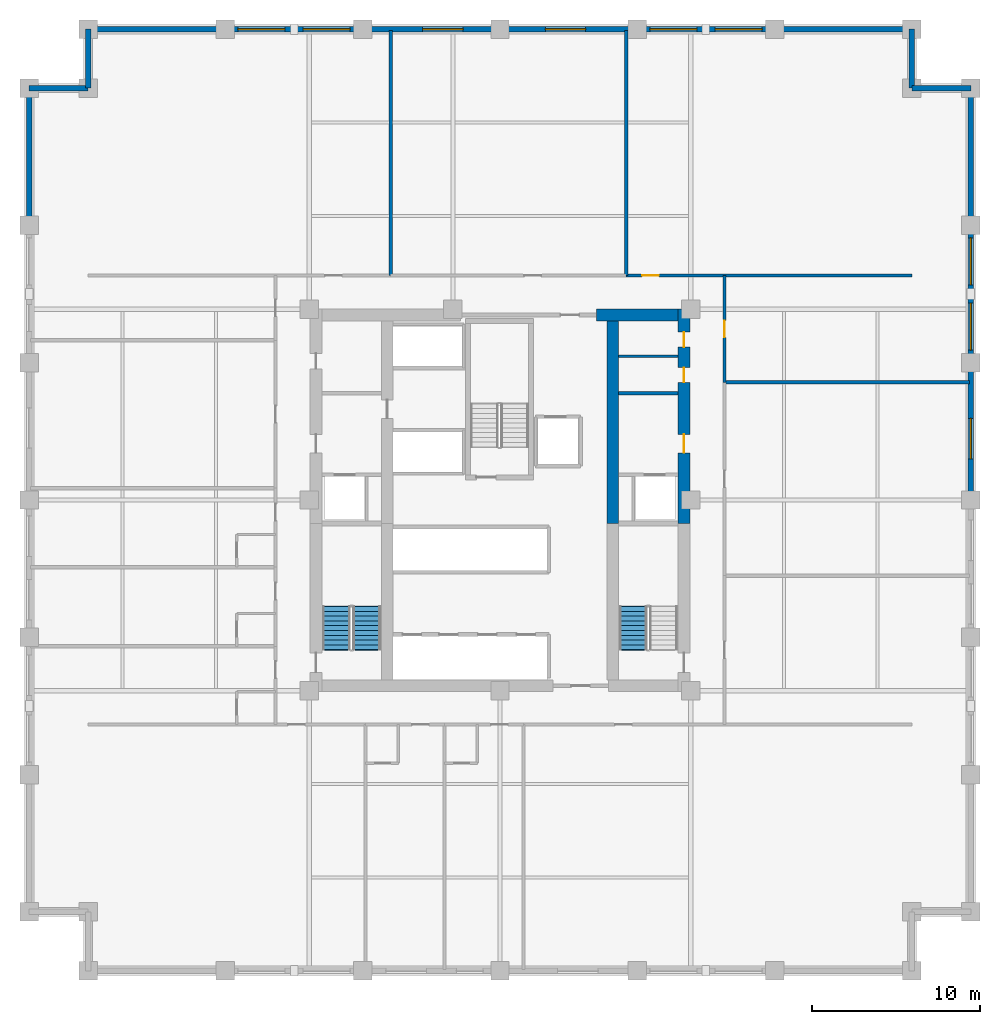
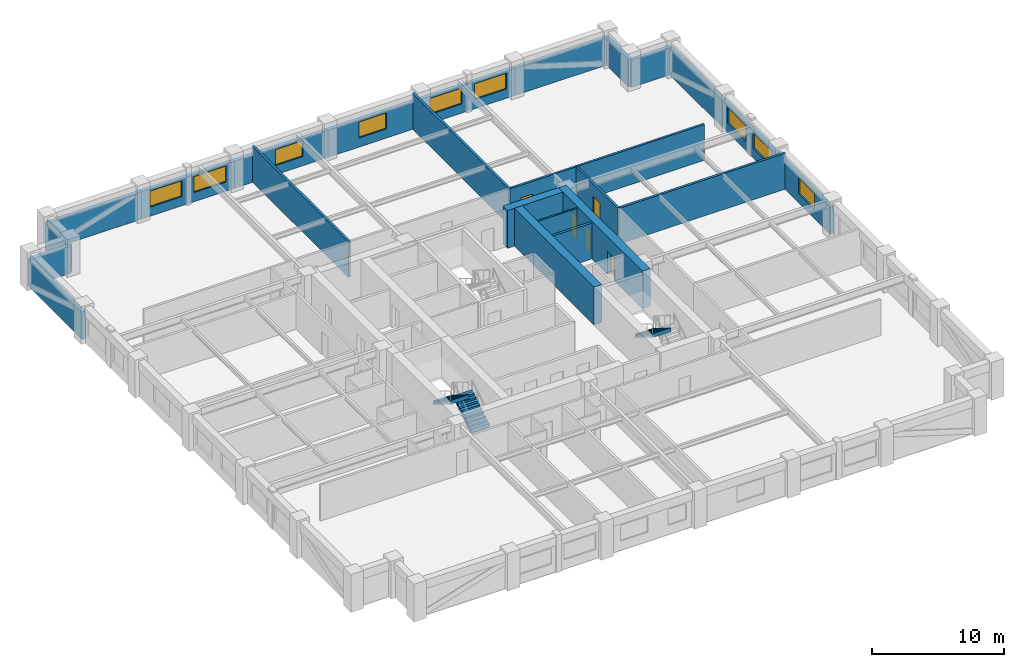
# One storey, part 5 of 7: 24 walls, 9 windows, 5 doors, 3 stair flights, 14 openings, 2 elements without a shape of their own.
"""IFC4 building model written with IfcOpenShell, lengths in metres."""

from ifc_helpers import new_model, si_unit, direction, frame, frame_2d, origin, place, context, subcontext, project, spatial, polyline, rectangle, outline, extrude, material, layer, layer_set, type_object, element, fill, aggregate, save


model = new_model("IFC4")

# Units and contexts
model_context = context("Model", 3, precision=1e-05, world=origin(), true_north=direction((0.0, 1.0)))
body_context = subcontext(model_context, "Body", "Model", "MODEL_VIEW")
ifc_project = project(units=[si_unit("LENGTHUNIT", "METRE"), si_unit("AREAUNIT", "SQUARE_METRE"), si_unit("VOLUMEUNIT", "CUBIC_METRE"), si_unit("PLANEANGLEUNIT", "RADIAN"), si_unit("MASSUNIT", "GRAM", prefix="KILO")], contexts=[model_context])

# Site, building, storey
site_placement = place(None, origin())
site = spatial("IfcSite", under=ifc_project, at=site_placement, CompositionType="ELEMENT")
building_placement = place(site_placement, origin())
building = spatial("IfcBuilding", under=site, at=building_placement, Name="Nhamokura Convention Tower", CompositionType="ELEMENT")
storey_placement = place(building_placement, frame((0.0, 0.0, 59.85009765625)))
storey = spatial("IfcBuildingStorey", under=building, at=storey_placement, Name="L13", CompositionType="ELEMENT", Elevation=59.85009765625)

# Walls
ifc_material_1 = material(Name="Moisture-resistant tile-backer partition", Category="masonry")
ifc_layer_1 = layer(ifc_material_1, 0.139892578125)
ifc_layer_set_1 = layer_set([ifc_layer_1], Name="BathroomWetWall_140")
wall_type_1 = type_object("IfcWallType", Name="BathroomWetWall_140", PredefinedType="STANDARD", material=ifc_layer_set_1)
wall_1_placement = place(storey_placement, frame((39.06005859375, 40.550048828125, 0.0), z_axis=(0.0, 0.0, 1.0), x_axis=(1.0, 0.0, 0.0)))
element("IfcWall", 1, at=wall_1_placement, inside=storey, type_object=wall_type_1, Name="L13 Wall INT-L13-CWNE", PredefinedType="STANDARD", context=body_context, shape_type="SweptSolid", body=[
    extrude(rectangle(XDim=3.530029296875, YDim=0.139892578125, at=frame_2d((1.76513671875, 0.0))), origin(), (0.0, 0.0, 1.0), 3.31982421875),
])
ifc_material_2 = material(Name="Bronze-pigmented precast concrete C45/55", Category="concrete")
ifc_layer_2 = layer(ifc_material_2, 0.320068359375)
ifc_layer_set_2 = layer_set([ifc_layer_2], Name="BronzePrecastSpandrel_320")
wall_type_2 = type_object("IfcWallType", Name="BronzePrecastSpandrel_320", PredefinedType="USERDEFINED", material=ifc_layer_set_2)
wall_2_placement = place(storey_placement, frame((7.5, 60.0, 0.0), z_axis=(0.0, 0.0, 1.0), x_axis=(1.0, 0.0, 0.0)))
element("IfcWall", 2, at=wall_2_placement, inside=storey, type_object=wall_type_2, Name="L13 Braced-Bay Precast Wall NORTH 0", ObjectType="SPANDREL_WALL", PredefinedType="USERDEFINED", context=body_context, shape_type="SweptSolid", body=[
    extrude(rectangle(XDim=8.166748046875, YDim=0.320068359375, at=frame_2d((4.08349609375, 0.0))), origin(), (0.0, 0.0, 1.0), 2.52001953125),
])

# Wall, openings, windows
wall_3_placement = place(storey_placement, frame((15.666748046875, 60.0, 0.0), z_axis=(0.0, 0.0, 1.0), x_axis=(1.0, 0.0, 0.0)))
wall_3 = element("IfcWall", 3, at=wall_3_placement, inside=storey, type_object=wall_type_2, Name="L13 Masonry-Frame Wall NORTH 1", ObjectType="SPANDREL_WALL", PredefinedType="USERDEFINED", context=body_context, shape_type="SweptSolid", body=[
    extrude(rectangle(XDim=8.16650390625, YDim=0.320068359375, at=frame_2d((4.083251953125, 0.0))), origin(), (0.0, 0.0, 1.0), 2.52001953125),
])
opening_1_placement = place(wall_3_placement, frame((0.74169921875, 0.0, 0.85009765625)))
opening_1 = element("IfcOpeningElement", 4, at=opening_1_placement, cuts=wall_3, Name="Opening W-04", PredefinedType="OPENING", context=body_context, shape_type="SweptSolid", body=[
    extrude(rectangle(XDim=2.800048828125, YDim=1.469970703125, at=frame_2d((1.39990234375, 0.73486328125))), frame((0.0, 0.169921875, 0.0), z_axis=(0.0, -1.0, 0.0), x_axis=(1.0, 0.0, 0.0)), (0.0, 0.0, 1.0), 0.340087890625),
])
opening_2_placement = place(wall_3_placement, frame((4.625, 0.0, 0.85009765625)))
opening_2 = element("IfcOpeningElement", 5, at=opening_2_placement, cuts=wall_3, Name="Opening W-04", PredefinedType="OPENING", context=body_context, shape_type="SweptSolid", body=[
    extrude(rectangle(XDim=2.800048828125, YDim=1.469970703125, at=frame_2d((1.39990234375, 0.73486328125))), frame((0.0, 0.169921875, 0.0), z_axis=(0.0, -1.0, 0.0), x_axis=(1.0, 0.0, 0.0)), (0.0, 0.0, 1.0), 0.340087890625),
])
ifc_material_3 = material(Name="Solar-control bronze low-E double glass", Category="glass")
window_type_1 = type_object("IfcWindowType", Name="HotelSuiteWindow_2800", PartitioningType="DOUBLE_PANEL_VERTICAL", PredefinedType="WINDOW", material=ifc_material_3)
window_1_placement = place(opening_1_placement, origin())
window_1 = element("IfcWindow", 6, at=window_1_placement, inside=storey, type_object=window_type_1, Name="L13 Facade Window NORTH 1-1", OverallHeight=1.469970703125, OverallWidth=2.800048828125, PartitioningType="SINGLE_PANEL", PredefinedType="WINDOW", context=body_context, shape_type="SweptSolid", body=[
    extrude(rectangle(XDim=2.800048828125, YDim=1.469970703125, at=frame_2d((1.39990234375, 0.73486328125))), frame((0.0, 0.030029296875, 0.0), z_axis=(0.0, -1.0, 0.0), x_axis=(1.0, 0.0, 0.0)), (0.0, 0.0, 1.0), 0.06005859375),
])
fill(opening_1, window_1)
window_2_placement = place(opening_2_placement, origin())
window_2 = element("IfcWindow", 7, at=window_2_placement, inside=storey, type_object=window_type_1, Name="L13 Facade Window NORTH 1-2", OverallHeight=1.469970703125, OverallWidth=2.800048828125, PartitioningType="SINGLE_PANEL", PredefinedType="WINDOW", context=body_context, shape_type="SweptSolid", body=[
    extrude(rectangle(XDim=2.800048828125, YDim=1.469970703125, at=frame_2d((1.39990234375, 0.73486328125))), frame((0.0, 0.030029296875, 0.0), z_axis=(0.0, -1.0, 0.0), x_axis=(1.0, 0.0, 0.0)), (0.0, 0.0, 1.0), 0.06005859375),
])
fill(opening_2, window_2)

# Wall, opening, window
wall_4_placement = place(storey_placement, frame((23.833251953125, 60.0, 0.0), z_axis=(0.0, 0.0, 1.0), x_axis=(1.0, 0.0, 0.0)))
wall_4 = element("IfcWall", 8, at=wall_4_placement, inside=storey, type_object=wall_type_2, Name="L13 Masonry-Frame Wall NORTH 2", ObjectType="SPANDREL_WALL", PredefinedType="USERDEFINED", context=body_context, shape_type="SweptSolid", body=[
    extrude(rectangle(XDim=8.166748046875, YDim=0.320068359375, at=frame_2d((4.08349609375, 0.0))), origin(), (0.0, 0.0, 1.0), 2.52001953125),
])
opening_3_placement = place(wall_4_placement, frame((3.566650390625, 0.0, 0.85009765625)))
opening_3 = element("IfcOpeningElement", 9, at=opening_3_placement, cuts=wall_4, Name="Opening W-03", PredefinedType="OPENING", context=body_context, shape_type="SweptSolid", body=[
    extrude(rectangle(XDim=2.39990234375, YDim=1.469970703125, at=frame_2d((1.199951171875, 0.73486328125))), frame((0.0, 0.169921875, 0.0), z_axis=(0.0, -1.0, 0.0), x_axis=(1.0, 0.0, 0.0)), (0.0, 0.0, 1.0), 0.340087890625),
])
ifc_material_4 = material(Name="Solar-control bronze low-E double glass", Category="glass")
window_type_2 = type_object("IfcWindowType", Name="HotelBayWindow_2400", PartitioningType="DOUBLE_PANEL_VERTICAL", PredefinedType="WINDOW", material=ifc_material_4)
window_3_placement = place(opening_3_placement, origin())
window_3 = element("IfcWindow", 10, at=window_3_placement, inside=storey, type_object=window_type_2, Name="L13 Facade Window NORTH 2-2", OverallHeight=1.469970703125, OverallWidth=2.39990234375, PartitioningType="SINGLE_PANEL", PredefinedType="WINDOW", context=body_context, shape_type="SweptSolid", body=[
    extrude(rectangle(XDim=2.39990234375, YDim=1.469970703125, at=frame_2d((1.199951171875, 0.73486328125))), frame((0.0, 0.030029296875, 0.0), z_axis=(0.0, -1.0, 0.0), x_axis=(1.0, 0.0, 0.0)), (0.0, 0.0, 1.0), 0.06005859375),
])
fill(opening_3, window_3)

wall_5_placement = place(storey_placement, frame((32.0, 60.0, 0.0), z_axis=(0.0, 0.0, 1.0), x_axis=(1.0, 0.0, 0.0)))
wall_5 = element("IfcWall", 11, at=wall_5_placement, inside=storey, type_object=wall_type_2, Name="L13 Masonry-Frame Wall NORTH 3", ObjectType="SPANDREL_WALL", PredefinedType="USERDEFINED", context=body_context, shape_type="SweptSolid", body=[
    extrude(rectangle(XDim=8.166748046875, YDim=0.320068359375, at=frame_2d((4.08349609375, 0.0))), origin(), (0.0, 0.0, 1.0), 2.52001953125),
])
opening_4_placement = place(wall_5_placement, frame((2.699951171875, 0.0, 0.85009765625)))
opening_4 = element("IfcOpeningElement", 12, at=opening_4_placement, cuts=wall_5, Name="Opening W-03", PredefinedType="OPENING", context=body_context, shape_type="SweptSolid", body=[
    extrude(rectangle(XDim=2.39990234375, YDim=1.469970703125, at=frame_2d((1.199951171875, 0.73486328125))), frame((0.0, 0.169921875, 0.0), z_axis=(0.0, -1.0, 0.0), x_axis=(1.0, 0.0, 0.0)), (0.0, 0.0, 1.0), 0.340087890625),
])
window_4_placement = place(opening_4_placement, origin())
window_4 = element("IfcWindow", 13, at=window_4_placement, inside=storey, type_object=window_type_2, Name="L13 Facade Window NORTH 3", OverallHeight=1.469970703125, OverallWidth=2.39990234375, PartitioningType="SINGLE_PANEL", PredefinedType="WINDOW", context=body_context, shape_type="SweptSolid", body=[
    extrude(rectangle(XDim=2.39990234375, YDim=1.469970703125, at=frame_2d((1.199951171875, 0.73486328125))), frame((0.0, 0.030029296875, 0.0), z_axis=(0.0, -1.0, 0.0), x_axis=(1.0, 0.0, 0.0)), (0.0, 0.0, 1.0), 0.06005859375),
])
fill(opening_4, window_4)

# Wall, openings, windows
wall_6_placement = place(storey_placement, frame((40.166748046875, 60.0, 0.0), z_axis=(0.0, 0.0, 1.0), x_axis=(1.0, 0.0, 0.0)))
wall_6 = element("IfcWall", 14, at=wall_6_placement, inside=storey, type_object=wall_type_2, Name="L13 Masonry-Frame Wall NORTH 4", ObjectType="SPANDREL_WALL", PredefinedType="USERDEFINED", context=body_context, shape_type="SweptSolid", body=[
    extrude(rectangle(XDim=8.16650390625, YDim=0.320068359375, at=frame_2d((4.083251953125, 0.0))), origin(), (0.0, 0.0, 1.0), 2.52001953125),
])
opening_5_placement = place(wall_6_placement, frame((0.74169921875, 0.0, 0.85009765625)))
opening_5 = element("IfcOpeningElement", 15, at=opening_5_placement, cuts=wall_6, Name="Opening W-04", PredefinedType="OPENING", context=body_context, shape_type="SweptSolid", body=[
    extrude(rectangle(XDim=2.800048828125, YDim=1.469970703125, at=frame_2d((1.39990234375, 0.73486328125))), frame((0.0, 0.169921875, 0.0), z_axis=(0.0, -1.0, 0.0), x_axis=(1.0, 0.0, 0.0)), (0.0, 0.0, 1.0), 0.340087890625),
])
opening_6_placement = place(wall_6_placement, frame((4.625, 0.0, 0.85009765625)))
opening_6 = element("IfcOpeningElement", 16, at=opening_6_placement, cuts=wall_6, Name="Opening W-04", PredefinedType="OPENING", context=body_context, shape_type="SweptSolid", body=[
    extrude(rectangle(XDim=2.800048828125, YDim=1.469970703125, at=frame_2d((1.39990234375, 0.73486328125))), frame((0.0, 0.169921875, 0.0), z_axis=(0.0, -1.0, 0.0), x_axis=(1.0, 0.0, 0.0)), (0.0, 0.0, 1.0), 0.340087890625),
])
window_5_placement = place(opening_5_placement, origin())
window_5 = element("IfcWindow", 17, at=window_5_placement, inside=storey, type_object=window_type_1, Name="L13 Facade Window NORTH 4-1", OverallHeight=1.469970703125, OverallWidth=2.800048828125, PartitioningType="SINGLE_PANEL", PredefinedType="WINDOW", context=body_context, shape_type="SweptSolid", body=[
    extrude(rectangle(XDim=2.800048828125, YDim=1.469970703125, at=frame_2d((1.39990234375, 0.73486328125))), frame((0.0, 0.030029296875, 0.0), z_axis=(0.0, -1.0, 0.0), x_axis=(1.0, 0.0, 0.0)), (0.0, 0.0, 1.0), 0.06005859375),
])
fill(opening_5, window_5)
window_6_placement = place(opening_6_placement, origin())
window_6 = element("IfcWindow", 18, at=window_6_placement, inside=storey, type_object=window_type_1, Name="L13 Facade Window NORTH 4-2", OverallHeight=1.469970703125, OverallWidth=2.800048828125, PartitioningType="SINGLE_PANEL", PredefinedType="WINDOW", context=body_context, shape_type="SweptSolid", body=[
    extrude(rectangle(XDim=2.800048828125, YDim=1.469970703125, at=frame_2d((1.39990234375, 0.73486328125))), frame((0.0, 0.030029296875, 0.0), z_axis=(0.0, -1.0, 0.0), x_axis=(1.0, 0.0, 0.0)), (0.0, 0.0, 1.0), 0.06005859375),
])
fill(opening_6, window_6)

# Walls
for number, where, z_axis, x_axis, name in (
    (19, (48.333251953125, 60.0, 0.0), (0.0, 0.0, 1.0), (1.0, 0.0, 0.0), "L13 Braced-Bay Precast Wall NORTH 5"),
    (20, (4.0, 48.333251953125, 0.0), (0.0, 0.0, 1.0), (0.0, 1.0, 0.0), "L13 Braced-Bay Precast Wall WEST 5"),
):
    element("IfcWall", number, at=place(storey_placement, frame(where, z_axis=z_axis, x_axis=x_axis)), inside=storey, type_object=wall_type_2, Name=name, ObjectType="SPANDREL_WALL", PredefinedType="USERDEFINED", context=body_context, shape_type="SweptSolid", body=[
        extrude(rectangle(XDim=8.166748046875, YDim=0.320068359375, at=frame_2d((4.08349609375, 0.0))), origin(), (0.0, 0.0, 1.0), 2.52001953125),
    ])

# Wall, opening, window
wall_7_placement = place(storey_placement, frame((60.0, 40.166748046875, 0.0), z_axis=(0.0, 0.0, 1.0), x_axis=(0.0, -1.0, 0.0)))
wall_7 = element("IfcWall", 21, at=wall_7_placement, inside=storey, type_object=wall_type_2, Name="L13 Masonry-Frame Wall EAST 3", ObjectType="SPANDREL_WALL", PredefinedType="USERDEFINED", context=body_context, shape_type="SweptSolid", body=[
    extrude(rectangle(XDim=8.166748046875, YDim=0.320068359375, at=frame_2d((4.08349609375, 0.0))), origin(), (0.0, 0.0, 1.0), 2.52001953125),
])
opening_7_placement = place(wall_7_placement, frame((3.316650390625, 0.0, 0.85009765625)))
opening_7 = element("IfcOpeningElement", 22, at=opening_7_placement, cuts=wall_7, Name="Opening W-03", PredefinedType="OPENING", context=body_context, shape_type="SweptSolid", body=[
    extrude(rectangle(XDim=2.39990234375, YDim=1.469970703125, at=frame_2d((1.199951171875, 0.73486328125))), frame((0.0, 0.169921875, 0.0), z_axis=(0.0, -1.0, 0.0), x_axis=(1.0, 0.0, 0.0)), (0.0, 0.0, 1.0), 0.340087890625),
])
window_7_placement = place(opening_7_placement, origin())
window_7 = element("IfcWindow", 23, at=window_7_placement, inside=storey, type_object=window_type_2, Name="L13 Facade Window EAST 3-2", OverallHeight=1.469970703125, OverallWidth=2.39990234375, PartitioningType="SINGLE_PANEL", PredefinedType="WINDOW", context=body_context, shape_type="SweptSolid", body=[
    extrude(rectangle(XDim=2.39990234375, YDim=1.469970703125, at=frame_2d((1.199951171875, 0.73486328125))), frame((0.0, 0.030029296875, 0.0), z_axis=(0.0, -1.0, 0.0), x_axis=(1.0, 0.0, 0.0)), (0.0, 0.0, 1.0), 0.06005859375),
])
fill(opening_7, window_7)

# Wall, openings, windows
wall_8_placement = place(storey_placement, frame((60.0, 48.333251953125, 0.0), z_axis=(0.0, 0.0, 1.0), x_axis=(0.0, -1.0, 0.0)))
wall_8 = element("IfcWall", 24, at=wall_8_placement, inside=storey, type_object=wall_type_2, Name="L13 Masonry-Frame Wall EAST 4", ObjectType="SPANDREL_WALL", PredefinedType="USERDEFINED", context=body_context, shape_type="SweptSolid", body=[
    extrude(rectangle(XDim=8.16650390625, YDim=0.320068359375, at=frame_2d((4.083251953125, 0.0))), origin(), (0.0, 0.0, 1.0), 2.52001953125),
])
opening_8_placement = place(wall_8_placement, frame((0.74169921875, 0.0, 0.85009765625)))
opening_8 = element("IfcOpeningElement", 25, at=opening_8_placement, cuts=wall_8, Name="Opening W-04", PredefinedType="OPENING", context=body_context, shape_type="SweptSolid", body=[
    extrude(rectangle(XDim=2.800048828125, YDim=1.469970703125, at=frame_2d((1.39990234375, 0.73486328125))), frame((0.0, 0.169921875, 0.0), z_axis=(0.0, -1.0, 0.0), x_axis=(1.0, 0.0, 0.0)), (0.0, 0.0, 1.0), 0.340087890625),
])
opening_9_placement = place(wall_8_placement, frame((4.625, 0.0, 0.85009765625)))
opening_9 = element("IfcOpeningElement", 26, at=opening_9_placement, cuts=wall_8, Name="Opening W-04", PredefinedType="OPENING", context=body_context, shape_type="SweptSolid", body=[
    extrude(rectangle(XDim=2.800048828125, YDim=1.469970703125, at=frame_2d((1.39990234375, 0.73486328125))), frame((0.0, 0.169921875, 0.0), z_axis=(0.0, -1.0, 0.0), x_axis=(1.0, 0.0, 0.0)), (0.0, 0.0, 1.0), 0.340087890625),
])
window_8_placement = place(opening_8_placement, origin())
window_8 = element("IfcWindow", 27, at=window_8_placement, inside=storey, type_object=window_type_1, Name="L13 Facade Window EAST 4-1", OverallHeight=1.469970703125, OverallWidth=2.800048828125, PartitioningType="SINGLE_PANEL", PredefinedType="WINDOW", context=body_context, shape_type="SweptSolid", body=[
    extrude(rectangle(XDim=2.800048828125, YDim=1.469970703125, at=frame_2d((1.39990234375, 0.73486328125))), frame((0.0, 0.030029296875, 0.0), z_axis=(0.0, -1.0, 0.0), x_axis=(1.0, 0.0, 0.0)), (0.0, 0.0, 1.0), 0.06005859375),
])
fill(opening_8, window_8)
window_9_placement = place(opening_9_placement, origin())
window_9 = element("IfcWindow", 28, at=window_9_placement, inside=storey, type_object=window_type_1, Name="L13 Facade Window EAST 4-2", OverallHeight=1.469970703125, OverallWidth=2.800048828125, PartitioningType="SINGLE_PANEL", PredefinedType="WINDOW", context=body_context, shape_type="SweptSolid", body=[
    extrude(rectangle(XDim=2.800048828125, YDim=1.469970703125, at=frame_2d((1.39990234375, 0.73486328125))), frame((0.0, 0.030029296875, 0.0), z_axis=(0.0, -1.0, 0.0), x_axis=(1.0, 0.0, 0.0)), (0.0, 0.0, 1.0), 0.06005859375),
])
fill(opening_9, window_9)

# Walls
wall_9_placement = place(storey_placement, frame((60.0, 56.5, 0.0), z_axis=(0.0, 0.0, 1.0), x_axis=(0.0, -1.0, 0.0)))
element("IfcWall", 29, at=wall_9_placement, inside=storey, type_object=wall_type_2, Name="L13 Braced-Bay Precast Wall EAST 5", ObjectType="SPANDREL_WALL", PredefinedType="USERDEFINED", context=body_context, shape_type="SweptSolid", body=[
    extrude(rectangle(XDim=8.166748046875, YDim=0.320068359375, at=frame_2d((4.08349609375, 0.0))), origin(), (0.0, 0.0, 1.0), 2.52001953125),
])
for number, where, z_axis, x_axis, name in (
    (30, (56.5, 56.5, 0.0), (0.0, 0.0, 1.0), (1.0, 0.0, 0.0), "L13 Notched Corner Wall NE1"),
    (31, (56.5, 60.0, 0.0), (0.0, 0.0, 1.0), (0.0, -1.0, 0.0), "L13 Notched Corner Wall NE2"),
    (32, (7.5, 56.5, 0.0), (0.0, 0.0, 1.0), (0.0, 1.0, 0.0), "L13 Notched Corner Wall NW1"),
    (33, (4.0, 56.5, 0.0), (0.0, 0.0, 1.0), (1.0, 0.0, 0.0), "L13 Notched Corner Wall NW2"),
):
    element("IfcWall", number, at=place(storey_placement, frame(where, z_axis=z_axis, x_axis=x_axis)), inside=storey, type_object=wall_type_2, Name=name, ObjectType="SPANDREL_WALL", PredefinedType="USERDEFINED", context=body_context, shape_type="SweptSolid", body=[
        extrude(rectangle(XDim=3.5, YDim=0.320068359375, at=frame_2d((1.75, 0.0))), origin(), (0.0, 0.0, 1.0), 2.52001953125),
    ])

# Wall, openings, doors
ifc_material_5 = material(Name="Concrete C70/85", Category="concrete")
ifc_layer_3 = layer(ifc_material_5, 0.699951171875)
ifc_layer_set_3 = layer_set([ifc_layer_3], Name="CoreShearWall_700")
wall_type_3 = type_object("IfcWallType", Name="CoreShearWall_700", PredefinedType="SHEAR", material=ifc_layer_set_3)
wall_10_placement = place(storey_placement, frame((42.93994140625, 30.60009765625, 0.0), z_axis=(0.0, 0.0, 1.0), x_axis=(0.0, 1.0, 0.0)))
wall_10 = element("IfcWall", 34, at=wall_10_placement, inside=storey, type_object=wall_type_3, Name="L13 Core Shear Wall CW-EN", PredefinedType="SHEAR", context=body_context, shape_type="SweptSolid", body=[
    extrude(rectangle(XDim=12.75, YDim=0.699951171875, at=frame_2d((6.375, 0.0))), origin(), (0.0, 0.0, 1.0), 3.5),
])
opening_10_placement = place(wall_10_placement, frame((4.199951171875, 0.0, 0.0)))
opening_10 = element("IfcOpeningElement", 35, at=opening_10_placement, cuts=wall_10, Name="Opening D-05", PredefinedType="OPENING", context=body_context, shape_type="SweptSolid", body=[
    extrude(rectangle(XDim=1.10009765625, YDim=2.14990234375, at=frame_2d((0.550048828125, 1.074951171875))), frame((0.0, 0.35986328125, 0.0), z_axis=(0.0, -1.0, 0.0), x_axis=(1.0, 0.0, 0.0)), (0.0, 0.0, 1.0), 0.719970703125),
])
opening_11_placement = place(wall_10_placement, frame((8.39990234375, 0.0, 0.0)))
opening_11 = element("IfcOpeningElement", 36, at=opening_11_placement, cuts=wall_10, Name="Opening D-11", PredefinedType="OPENING", context=body_context, shape_type="SweptSolid", body=[
    extrude(rectangle(XDim=0.8798828125, YDim=2.10009765625, at=frame_2d((0.43994140625, 1.050048828125))), frame((0.0, 0.35986328125, 0.0), z_axis=(0.0, -1.0, 0.0), x_axis=(1.0, 0.0, 0.0)), (0.0, 0.0, 1.0), 0.719970703125),
])
opening_12_placement = place(wall_10_placement, frame((10.5, 0.0, 0.0)))
opening_12 = element("IfcOpeningElement", 37, at=opening_12_placement, cuts=wall_10, Name="Opening D-11", PredefinedType="OPENING", context=body_context, shape_type="SweptSolid", body=[
    extrude(rectangle(XDim=0.8798828125, YDim=2.10009765625, at=frame_2d((0.43994140625, 1.050048828125))), frame((0.0, 0.35986328125, 0.0), z_axis=(0.0, -1.0, 0.0), x_axis=(1.0, 0.0, 0.0)), (0.0, 0.0, 1.0), 0.719970703125),
])
ifc_material_6 = material(Name="Solid oak hardwood", Category="wood")
door_type_1 = type_object("IfcDoorType", Name="BathroomDoor_880", OperationType="NOTDEFINED", PredefinedType="DOOR", material=ifc_material_6)
door_1_placement = place(opening_11_placement, origin())
door_1 = element("IfcDoor", 38, at=door_1_placement, inside=storey, type_object=door_type_1, Name="L13 Core Door INT-L13-D-MWC", OperationType="SINGLE_SWING_RIGHT", OverallHeight=2.10009765625, OverallWidth=0.8798828125, PredefinedType="DOOR", context=body_context, shape_type="SweptSolid", body=[
    extrude(rectangle(XDim=0.8798828125, YDim=2.10009765625, at=frame_2d((0.43994140625, 1.050048828125))), frame((0.0, 0.02490234375, 0.0), z_axis=(0.0, -1.0, 0.0), x_axis=(1.0, 0.0, 0.0)), (0.0, 0.0, 1.0), 0.050048828125),
])
fill(opening_11, door_1)
door_2_placement = place(opening_12_placement, origin())
door_2 = element("IfcDoor", 39, at=door_2_placement, inside=storey, type_object=door_type_1, Name="L13 Core Door INT-L13-D-FWC", OperationType="SINGLE_SWING_LEFT", OverallHeight=2.10009765625, OverallWidth=0.8798828125, PredefinedType="DOOR", context=body_context, shape_type="SweptSolid", body=[
    extrude(rectangle(XDim=0.8798828125, YDim=2.10009765625, at=frame_2d((0.43994140625, 1.050048828125))), frame((0.0, 0.02490234375, 0.0), z_axis=(0.0, -1.0, 0.0), x_axis=(1.0, 0.0, 0.0)), (0.0, 0.0, 1.0), 0.050048828125),
])
fill(opening_12, door_2)
ifc_material_7 = material(Name="Fire-rated steel door", Category="steel")
door_type_2 = type_object("IfcDoorType", Name="FireLobbyDoor_1100", OperationType="NOTDEFINED", PredefinedType="DOOR", material=ifc_material_7)
door_3_placement = place(opening_10_placement, origin())
door_3 = element("IfcDoor", 40, at=door_3_placement, inside=storey, type_object=door_type_2, Name="L13 Core Door INT-L13-D-FFLE", OperationType="SINGLE_SWING_LEFT", OverallHeight=2.14990234375, OverallWidth=1.10009765625, PredefinedType="DOOR", context=body_context, shape_type="SweptSolid", body=[
    extrude(rectangle(XDim=1.10009765625, YDim=2.14990234375, at=frame_2d((0.550048828125, 1.074951171875))), frame((0.0, 0.02490234375, 0.0), z_axis=(0.0, -1.0, 0.0), x_axis=(1.0, 0.0, 0.0)), (0.0, 0.0, 1.0), 0.050048828125),
])
fill(opening_10, door_3)

# Walls
wall_11_placement = place(storey_placement, frame((37.75, 43.0, 0.0), z_axis=(0.0, 0.0, 1.0), x_axis=(1.0, 0.0, 0.0)))
element("IfcWall", 41, at=wall_11_placement, inside=storey, type_object=wall_type_3, Name="L13 Core Shear Wall CW-N2", PredefinedType="SHEAR", context=body_context, shape_type="SweptSolid", body=[
    extrude(rectangle(XDim=4.840087890625, YDim=0.699951171875, at=frame_2d((2.419921875, 0.0))), origin(), (0.0, 0.0, 1.0), 3.5),
])
wall_12_placement = place(storey_placement, frame((38.7099609375, 30.60009765625, 0.0), z_axis=(0.0, 0.0, 1.0), x_axis=(0.0, 1.0, 0.0)))
element("IfcWall", 42, at=wall_12_placement, inside=storey, type_object=wall_type_3, Name="L13 Core Shear Wall CW-IEN", PredefinedType="SHEAR", context=body_context, shape_type="SweptSolid", body=[
    extrude(rectangle(XDim=12.0498046875, YDim=0.699951171875, at=frame_2d((6.02490234375, 0.0))), origin(), (0.0, 0.0, 1.0), 3.5),
])

# Wall, opening, door
ifc_material_8 = material(Name="Fire-rated gypsum and masonry partition", Category="masonry")
ifc_layer_4 = layer(ifc_material_8, 0.179931640625)
ifc_layer_set_4 = layer_set([ifc_layer_4], Name="CorridorRatedWall_180")
wall_type_4 = type_object("IfcWallType", Name="CorridorRatedWall_180", PredefinedType="STANDARD", material=ifc_layer_set_4)
wall_13_placement = place(storey_placement, frame((39.5, 45.35009765625, 0.0), z_axis=(0.0, 0.0, 1.0), x_axis=(1.0, 0.0, 0.0)))
wall_13 = element("IfcWall", 43, at=wall_13_placement, inside=storey, type_object=wall_type_4, Name="L13 Wall INT-L13-CW-N02", PredefinedType="STANDARD", context=body_context, shape_type="SweptSolid", body=[
    extrude(rectangle(XDim=17.0, YDim=0.179931640625, at=frame_2d((8.5, 0.0))), origin(), (0.0, 0.0, 1.0), 3.31982421875),
])
opening_13_placement = place(wall_13_placement, frame((0.949951171875, 0.0, 0.0)))
opening_13 = element("IfcOpeningElement", 44, at=opening_13_placement, cuts=wall_13, Name="Opening D-07", PredefinedType="OPENING", context=body_context, shape_type="SweptSolid", body=[
    extrude(rectangle(XDim=1.0, YDim=2.14990234375, at=frame_2d((0.5, 1.074951171875))), frame((0.0, 0.099853515625, 0.0), z_axis=(0.0, -1.0, 0.0), x_axis=(1.0, 0.0, 0.0)), (0.0, 0.0, 1.0), 0.199951171875),
])
ifc_material_9 = material(Name="Solid oak hardwood", Category="wood")
door_type_3 = type_object("IfcDoorType", Name="HotelSuiteEntryDoor_1000", OperationType="NOTDEFINED", PredefinedType="DOOR", material=ifc_material_9)
door_4_placement = place(opening_13_placement, origin())
door_4 = element("IfcDoor", 45, at=door_4_placement, inside=storey, type_object=door_type_3, Name="L13 Conference Salon N03 Door", OperationType="SINGLE_SWING_LEFT", OverallHeight=2.14990234375, OverallWidth=1.0, PredefinedType="DOOR", context=body_context, shape_type="SweptSolid", body=[
    extrude(rectangle(XDim=1.0, YDim=2.14990234375, at=frame_2d((0.5, 1.074951171875))), frame((0.0, 0.02490234375, 0.0), z_axis=(0.0, -1.0, 0.0), x_axis=(1.0, 0.0, 0.0)), (0.0, 0.0, 1.0), 0.050048828125),
])
fill(opening_13, door_4)

wall_14_placement = place(storey_placement, frame((45.35009765625, 39.0, 0.0), z_axis=(0.0, 0.0, 1.0), x_axis=(0.0, 1.0, 0.0)))
wall_14 = element("IfcWall", 46, at=wall_14_placement, inside=storey, type_object=wall_type_4, Name="L13 Wall INT-L13-CW-E02", PredefinedType="STANDARD", context=body_context, shape_type="SweptSolid", body=[
    extrude(rectangle(XDim=6.35009765625, YDim=0.179931640625, at=frame_2d((3.175048828125, 0.0))), origin(), (0.0, 0.0, 1.0), 3.31982421875),
])
opening_14_placement = place(wall_14_placement, frame((2.675048828125, 0.0, 0.0)))
opening_14 = element("IfcOpeningElement", 47, at=opening_14_placement, cuts=wall_14, Name="Opening D-07", PredefinedType="OPENING", context=body_context, shape_type="SweptSolid", body=[
    extrude(rectangle(XDim=1.0, YDim=2.14990234375, at=frame_2d((0.5, 1.074951171875))), frame((0.0, 0.099853515625, 0.0), z_axis=(0.0, -1.0, 0.0), x_axis=(1.0, 0.0, 0.0)), (0.0, 0.0, 1.0), 0.199951171875),
])
door_5_placement = place(opening_14_placement, origin())
door_5 = element("IfcDoor", 48, at=door_5_placement, inside=storey, type_object=door_type_3, Name="L13 Business Studio E03 Door", OperationType="SINGLE_SWING_LEFT", OverallHeight=2.14990234375, OverallWidth=1.0, PredefinedType="DOOR", context=body_context, shape_type="SweptSolid", body=[
    extrude(rectangle(XDim=1.0, YDim=2.14990234375, at=frame_2d((0.5, 1.074951171875))), frame((0.0, 0.02490234375, 0.0), z_axis=(0.0, -1.0, 0.0), x_axis=(1.0, 0.0, 0.0)), (0.0, 0.0, 1.0), 0.050048828125),
])
fill(opening_14, door_5)

# Walls
ifc_material_10 = material(Name="Autoclaved concrete blockwork", Category="masonry")
ifc_layer_5 = layer(ifc_material_10, 0.219970703125)
ifc_layer_set_5 = layer_set([ifc_layer_5], Name="FireLobbyWall_220")
wall_type_5 = type_object("IfcWallType", Name="FireLobbyWall_220", PredefinedType="STANDARD", material=ifc_layer_set_5)
wall_15_placement = place(storey_placement, frame((39.06005859375, 38.35009765625, 0.0), z_axis=(0.0, 0.0, 1.0), x_axis=(1.0, 0.0, 0.0)))
element("IfcWall", 49, at=wall_15_placement, inside=storey, type_object=wall_type_5, Name="L13 Wall INT-L13-FFE-N", PredefinedType="STANDARD", context=body_context, shape_type="SweptSolid", body=[
    extrude(rectangle(XDim=3.530029296875, YDim=0.219970703125, at=frame_2d((1.76513671875, 0.0))), origin(), (0.0, 0.0, 1.0), 3.31982421875),
])
ifc_material_11 = material(Name="Acoustic twin-stud gypsum partition", Category="masonry")
ifc_layer_6 = layer(ifc_material_11, 0.199951171875)
ifc_layer_set_6 = layer_set([ifc_layer_6], Name="HotelDemisingWall_200")
wall_type_6 = type_object("IfcWallType", Name="HotelDemisingWall_200", PredefinedType="STANDARD", material=ifc_layer_set_6)
for number, where, z_axis, x_axis, name in (
    (50, (25.5, 45.35009765625, 0.0), (0.0, 0.0, 1.0), (0.0, 1.0, 0.0), "L13 Wall INT-L13-RW-N01"),
    (51, (39.5, 45.35009765625, 0.0), (0.0, 0.0, 1.0), (0.0, 1.0, 0.0), "L13 Wall INT-L13-RW-N02"),
    (52, (45.35009765625, 39.0, 0.0), (0.0, 0.0, 1.0), (1.0, 0.0, 0.0), "L13 Wall INT-L13-RW-E02"),
):
    element("IfcWall", number, at=place(storey_placement, frame(where, z_axis=z_axis, x_axis=x_axis)), inside=storey, type_object=wall_type_6, Name=name, PredefinedType="STANDARD", context=body_context, shape_type="SweptSolid", body=[
        extrude(rectangle(XDim=14.58984375, YDim=0.199951171875, at=frame_2d((7.294921875, 0.0))), origin(), (0.0, 0.0, 1.0), 3.31982421875),
    ])

# Stair, stair flights
ifc_material_12 = material(Name="Concrete C40/50", Category="concrete")
stair_type = type_object("IfcStairType", Name="TowerCoreStair_1650", PredefinedType="HALF_TURN_STAIR", material=ifc_material_12)
stair_1_placement = place(storey_placement, origin())
stair_1 = element("IfcStair", 53, at=stair_1_placement, inside=storey, type_object=stair_type, Name="L13 West Core Smokeproof Stair ST-01", PredefinedType="HALF_TURN_STAIR")
ifc_material_13 = material(Name="Concrete C40/50", Category="concrete")
stair_flight_type = type_object("IfcStairFlightType", Name="TowerCoreStair_1650_Flight", PredefinedType="STRAIGHT", material=ifc_material_13)
stair_flight_1_placement = place(storey_placement, frame((24.074951171875, 23.10009765625, 0.0), z_axis=(0.0, 0.0, 1.0), x_axis=(0.0, 1.0, 0.0)))
stair_flight_1 = element("IfcStairFlight", 54, at=stair_flight_1_placement, type_object=stair_flight_type, Name="ST-01 flight 1", NumberOfRisers=10, NumberOfTreads=9, PredefinedType="STRAIGHT", RiserHeight=0.175, TreadLength=0.285, context=body_context, shape_type="SweptSolid", body=[
    extrude(outline(polyline([(-0.0419921875, 0.0), (0.0, 0.175048828125), (0.284912109375, 0.175048828125), (0.284912109375, 0.35009765625), (0.570068359375, 0.35009765625), (0.570068359375, 0.52490234375), (0.85498046875, 0.52490234375), (0.85498046875, 0.699951171875), (1.139892578125, 0.699951171875), (1.139892578125, 0.875), (1.425048828125, 0.875), (1.425048828125, 1.050048828125), (1.7099609375, 1.050048828125), (1.7099609375, 1.22509765625), (1.9951171875, 1.22509765625), (1.9951171875, 1.39990234375), (2.280029296875, 1.39990234375), (2.280029296875, 1.574951171875), (2.56494140625, 1.574951171875), (2.56494140625, 1.75), (2.60693359375, 1.75), (2.60693359375, 1.399169921875), (2.56494140625, 1.399169921875), (0.286376953125, 0.0), (0.02001953125, -0.1298828125), (-0.0419921875, -0.1298828125), (-0.0419921875, 0.0)])), frame((0.0, 0.824951171875, 0.0), z_axis=(0.0, -1.0, 0.0), x_axis=(1.0, 0.0, 0.0)), (0.0, 0.0, 1.0), 1.64990234375),
])
stair_flight_2_placement = place(storey_placement, frame((22.27490234375, 25.6650390625, 1.75), z_axis=(0.0, 0.0, 1.0), x_axis=(0.0, -1.0, 0.0)))
stair_flight_2 = element("IfcStairFlight", 55, at=stair_flight_2_placement, type_object=stair_flight_type, Name="ST-01 flight 2", NumberOfRisers=10, NumberOfTreads=9, PredefinedType="STRAIGHT", RiserHeight=0.175, TreadLength=0.285, context=body_context, shape_type="SweptSolid", body=[
    extrude(outline(polyline([(-0.0419921875, 0.0), (0.0, 0.175048828125), (0.284912109375, 0.175048828125), (0.284912109375, 0.35009765625), (0.570068359375, 0.35009765625), (0.570068359375, 0.52490234375), (0.85498046875, 0.52490234375), (0.85498046875, 0.699951171875), (1.139892578125, 0.699951171875), (1.139892578125, 0.875), (1.425048828125, 0.875), (1.425048828125, 1.050048828125), (1.7099609375, 1.050048828125), (1.7099609375, 1.22509765625), (1.9951171875, 1.22509765625), (1.9951171875, 1.39990234375), (2.280029296875, 1.39990234375), (2.280029296875, 1.574951171875), (2.56494140625, 1.574951171875), (2.56494140625, 1.75), (2.60693359375, 1.75), (2.60693359375, 1.399169921875), (2.56494140625, 1.399169921875), (0.286376953125, 0.0), (0.02001953125, -0.1298828125), (-0.0419921875, -0.1298828125), (-0.0419921875, 0.0)])), frame((0.0, 0.824951171875, 0.0), z_axis=(0.0, -1.0, 0.0), x_axis=(1.0, 0.0, 0.0)), (0.0, 0.0, 1.0), 1.64990234375),
])
aggregate(stair_1, [stair_flight_1, stair_flight_2])

# Stair, stair flight
stair_2_placement = place(storey_placement, origin())
stair_2 = element("IfcStair", 56, at=stair_2_placement, inside=storey, type_object=stair_type, Name="L13 East Core Smokeproof Stair ST-02", PredefinedType="HALF_TURN_STAIR")
stair_flight_3_placement = place(storey_placement, frame((39.925048828125, 25.6650390625, 1.75), z_axis=(0.0, 0.0, 1.0), x_axis=(0.0, -1.0, 0.0)))
stair_flight_3 = element("IfcStairFlight", 57, at=stair_flight_3_placement, type_object=stair_flight_type, Name="ST-02 flight 2", NumberOfRisers=10, NumberOfTreads=9, PredefinedType="STRAIGHT", RiserHeight=0.175, TreadLength=0.285, context=body_context, shape_type="SweptSolid", body=[
    extrude(outline(polyline([(-0.0419921875, 0.0), (0.0, 0.175048828125), (0.284912109375, 0.175048828125), (0.284912109375, 0.35009765625), (0.570068359375, 0.35009765625), (0.570068359375, 0.52490234375), (0.85498046875, 0.52490234375), (0.85498046875, 0.699951171875), (1.139892578125, 0.699951171875), (1.139892578125, 0.875), (1.425048828125, 0.875), (1.425048828125, 1.050048828125), (1.7099609375, 1.050048828125), (1.7099609375, 1.22509765625), (1.9951171875, 1.22509765625), (1.9951171875, 1.39990234375), (2.280029296875, 1.39990234375), (2.280029296875, 1.574951171875), (2.56494140625, 1.574951171875), (2.56494140625, 1.75), (2.60693359375, 1.75), (2.60693359375, 1.399169921875), (2.56494140625, 1.399169921875), (0.286376953125, 0.0), (0.02001953125, -0.1298828125), (-0.0419921875, -0.1298828125), (-0.0419921875, 0.0)])), frame((0.0, 0.824951171875, 0.0), z_axis=(0.0, -1.0, 0.0), x_axis=(1.0, 0.0, 0.0)), (0.0, 0.0, 1.0), 1.64990234375),
])
aggregate(stair_2, [stair_flight_3])

save(model, "model.ifc")
